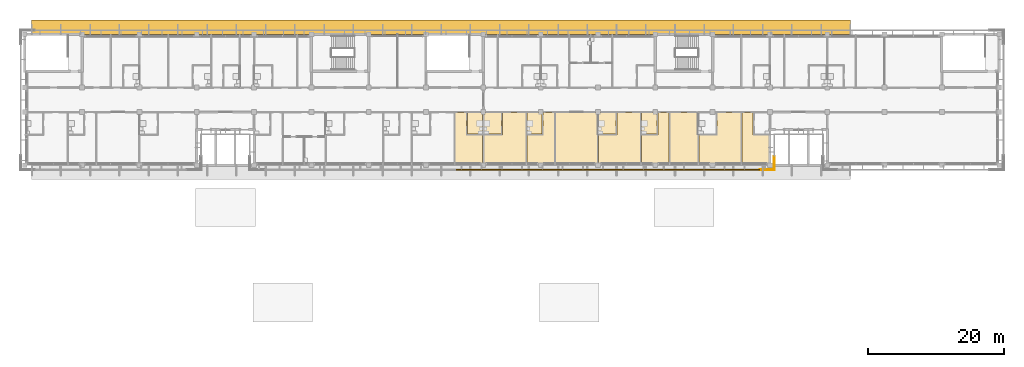
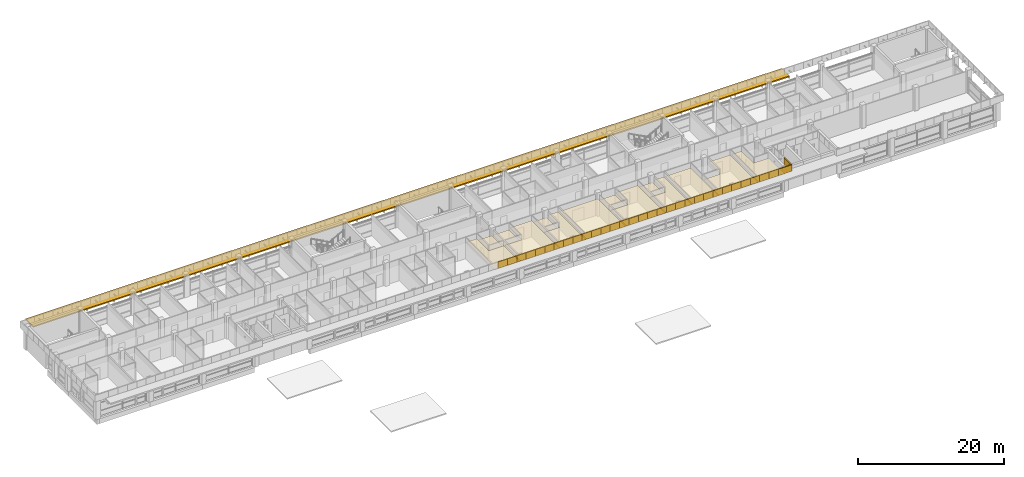
# One storey, part 33 of 36: 46 coverings, 1 shading device.
"""IFC4 building model written with IfcOpenShell, lengths in metres."""

from ifc_helpers import new_model, si_unit, direction, frame, origin, place, context, subcontext, project, spatial, polyline, outline, extrude, material, layer, layer_set, type_object, element, save


model = new_model("IFC4")

# Units and contexts
model_context = context("Model", 3, precision=1e-05, world=origin(), true_north=direction((0.0, 1.0)))
body_context = subcontext(model_context, "Body", "Model", "MODEL_VIEW")
ifc_project = project(units=[si_unit("LENGTHUNIT", "METRE"), si_unit("AREAUNIT", "SQUARE_METRE"), si_unit("VOLUMEUNIT", "CUBIC_METRE"), si_unit("PLANEANGLEUNIT", "RADIAN"), si_unit("MASSUNIT", "GRAM", prefix="KILO")], contexts=[model_context])

# Site, building, storey
site_placement = place(None, origin())
site = spatial("IfcSite", under=ifc_project, at=site_placement, CompositionType="ELEMENT")
building_placement = place(site_placement, origin())
building = spatial("IfcBuilding", under=site, at=building_placement, Name="Bougainvillea Quay General Hospital", CompositionType="ELEMENT")
storey_placement = place(building_placement, frame((0.0, 0.0, 32.699951171875)))
storey = spatial("IfcBuildingStorey", under=building, at=storey_placement, Name="L07", CompositionType="ELEMENT", Elevation=32.699951171875)

# Coverings
ifc_material_1 = material(Name="Powder-coated aluminium fascia, white", Category="aluminium")
ifc_layer_1 = layer(ifc_material_1, 0.14990234375)
ifc_layer_set_1 = layer_set([ifc_layer_1], Name="Powder-coated aluminium fascia, white")
covering_type_1 = type_object("IfcCoveringType", Name="Aluminium fascia band white 150x1100", PredefinedType="CLADDING", material=ifc_layer_set_1)
covering_1_placement = place(storey_placement, frame((105.2470703125, 139.85009765625, 3.35009765625), z_axis=(0.0, 0.0, 1.0), x_axis=(1.0, 0.0, 0.0)))
element("IfcCovering", 1, at=covering_1_placement, inside=storey, type_object=covering_type_1, Name="Fascia band white e0 161", PredefinedType="CLADDING", context=body_context, shape_type="SweptSolid", body=[
    extrude(outline(polyline([(0.0, 0.0), (1.482421875, 0.0), (1.482421875, -0.150146484375), (0.0, -0.150146484375), (0.0, 0.0)])), origin(), (0.0, 0.0, 1.0), 1.10009765625),
])
covering_2_placement = place(storey_placement, frame((106.7294921875, 139.85009765625, 3.35009765625), z_axis=(0.0, 0.0, 1.0), x_axis=(1.0, 0.0, 0.0)))
element("IfcCovering", 2, at=covering_2_placement, inside=storey, type_object=covering_type_1, Name="Fascia band white e0 162", PredefinedType="CLADDING", context=body_context, shape_type="SweptSolid", body=[
    extrude(outline(polyline([(0.0, 0.0), (1.482177734375, 0.0), (1.482177734375, -0.150146484375), (0.0, -0.150146484375), (0.0, 0.0)])), origin(), (0.0, 0.0, 1.0), 1.10009765625),
])
for number, where, z_axis, x_axis, name in (
    (3, (108.211669921875, 139.85009765625, 3.35009765625), (0.0, 0.0, 1.0), (1.0, 0.0, 0.0), "Fascia band white e0 163"),
    (4, (109.694091796875, 139.85009765625, 3.35009765625), (0.0, 0.0, 1.0), (1.0, 0.0, 0.0), "Fascia band white e0 164"),
    (5, (111.176513671875, 139.85009765625, 3.35009765625), (0.0, 0.0, 1.0), (1.0, 0.0, 0.0), "Fascia band white e0 165"),
):
    element("IfcCovering", number, at=place(storey_placement, frame(where, z_axis=z_axis, x_axis=x_axis)), inside=storey, type_object=covering_type_1, Name=name, PredefinedType="CLADDING", context=body_context, shape_type="SweptSolid", body=[
        extrude(outline(polyline([(0.0, 0.0), (1.482421875, 0.0), (1.482421875, -0.150146484375), (0.0, -0.150146484375), (0.0, 0.0)])), origin(), (0.0, 0.0, 1.0), 1.10009765625),
    ])
covering_3_placement = place(storey_placement, frame((112.658935546875, 139.85009765625, 3.35009765625), z_axis=(0.0, 0.0, 1.0), x_axis=(1.0, 0.0, 0.0)))
element("IfcCovering", 6, at=covering_3_placement, inside=storey, type_object=covering_type_1, Name="Fascia band white e0 166", PredefinedType="CLADDING", context=body_context, shape_type="SweptSolid", body=[
    extrude(outline(polyline([(0.0, 0.0), (1.482177734375, 0.0), (1.482177734375, -0.150146484375), (0.0, -0.150146484375), (0.0, 0.0)])), origin(), (0.0, 0.0, 1.0), 1.10009765625),
])
for number, where, z_axis, x_axis, name in (
    (7, (114.14111328125, 139.85009765625, 3.35009765625), (0.0, 0.0, 1.0), (1.0, 0.0, 0.0), "Fascia band white e0 167"),
    (8, (115.62353515625, 139.85009765625, 3.35009765625), (0.0, 0.0, 1.0), (1.0, 0.0, 0.0), "Fascia band white e0 168"),
):
    element("IfcCovering", number, at=place(storey_placement, frame(where, z_axis=z_axis, x_axis=x_axis)), inside=storey, type_object=covering_type_1, Name=name, PredefinedType="CLADDING", context=body_context, shape_type="SweptSolid", body=[
        extrude(outline(polyline([(0.0, 0.0), (1.482421875, 0.0), (1.482421875, -0.150146484375), (0.0, -0.150146484375), (0.0, 0.0)])), origin(), (0.0, 0.0, 1.0), 1.10009765625),
    ])
covering_4_placement = place(storey_placement, frame((117.10595703125, 139.85009765625, 3.35009765625), z_axis=(0.0, 0.0, 1.0), x_axis=(1.0, 0.0, 0.0)))
element("IfcCovering", 9, at=covering_4_placement, inside=storey, type_object=covering_type_1, Name="Fascia band white e0 169", PredefinedType="CLADDING", context=body_context, shape_type="SweptSolid", body=[
    extrude(outline(polyline([(0.0, 0.0), (1.482177734375, 0.0), (1.482177734375, -0.150146484375), (0.0, -0.150146484375), (0.0, 0.0)])), origin(), (0.0, 0.0, 1.0), 1.10009765625),
])
for number, where, z_axis, x_axis, name in (
    (10, (118.588134765625, 139.85009765625, 3.35009765625), (0.0, 0.0, 1.0), (1.0, 0.0, 0.0), "Fascia band white e0 170"),
    (11, (120.070556640625, 139.85009765625, 3.35009765625), (0.0, 0.0, 1.0), (1.0, 0.0, 0.0), "Fascia band white e0 171"),
    (12, (121.552978515625, 139.85009765625, 3.35009765625), (0.0, 0.0, 1.0), (1.0, 0.0, 0.0), "Fascia band white e0 172"),
):
    element("IfcCovering", number, at=place(storey_placement, frame(where, z_axis=z_axis, x_axis=x_axis)), inside=storey, type_object=covering_type_1, Name=name, PredefinedType="CLADDING", context=body_context, shape_type="SweptSolid", body=[
        extrude(outline(polyline([(0.0, 0.0), (1.482421875, 0.0), (1.482421875, -0.150146484375), (0.0, -0.150146484375), (0.0, 0.0)])), origin(), (0.0, 0.0, 1.0), 1.10009765625),
    ])
covering_5_placement = place(storey_placement, frame((123.035400390625, 139.85009765625, 3.35009765625), z_axis=(0.0, 0.0, 1.0), x_axis=(1.0, 0.0, 0.0)))
element("IfcCovering", 13, at=covering_5_placement, inside=storey, type_object=covering_type_1, Name="Fascia band white e0 173", PredefinedType="CLADDING", context=body_context, shape_type="SweptSolid", body=[
    extrude(outline(polyline([(0.0, 0.0), (1.482177734375, 0.0), (1.482177734375, -0.150146484375), (0.0, -0.150146484375), (0.0, 0.0)])), origin(), (0.0, 0.0, 1.0), 1.10009765625),
])
for number, where, z_axis, x_axis, name in (
    (14, (124.517578125, 139.85009765625, 3.35009765625), (0.0, 0.0, 1.0), (1.0, 0.0, 0.0), "Fascia band white e0 174"),
    (15, (126.0, 139.85009765625, 3.35009765625), (0.0, 0.0, 1.0), (1.0, 0.0, 0.0), "Fascia band white e0 175"),
):
    element("IfcCovering", number, at=place(storey_placement, frame(where, z_axis=z_axis, x_axis=x_axis)), inside=storey, type_object=covering_type_1, Name=name, PredefinedType="CLADDING", context=body_context, shape_type="SweptSolid", body=[
        extrude(outline(polyline([(0.0, 0.0), (1.482421875, 0.0), (1.482421875, -0.150146484375), (0.0, -0.150146484375), (0.0, 0.0)])), origin(), (0.0, 0.0, 1.0), 1.10009765625),
    ])
covering_6_placement = place(storey_placement, frame((127.482421875, 139.85009765625, 3.35009765625), z_axis=(0.0, 0.0, 1.0), x_axis=(1.0, 0.0, 0.0)))
element("IfcCovering", 16, at=covering_6_placement, inside=storey, type_object=covering_type_1, Name="Fascia band white e0 176", PredefinedType="CLADDING", context=body_context, shape_type="SweptSolid", body=[
    extrude(outline(polyline([(0.0, 0.0), (1.482177734375, 0.0), (1.482177734375, -0.150146484375), (0.0, -0.150146484375), (0.0, 0.0)])), origin(), (0.0, 0.0, 1.0), 1.10009765625),
])
for number, where, z_axis, x_axis, name in (
    (17, (128.964599609375, 139.85009765625, 3.35009765625), (0.0, 0.0, 1.0), (1.0, 0.0, 0.0), "Fascia band white e0 177"),
    (18, (130.447021484375, 139.85009765625, 3.35009765625), (0.0, 0.0, 1.0), (1.0, 0.0, 0.0), "Fascia band white e0 178"),
    (19, (131.929443359375, 139.85009765625, 3.35009765625), (0.0, 0.0, 1.0), (1.0, 0.0, 0.0), "Fascia band white e0 179"),
):
    element("IfcCovering", number, at=place(storey_placement, frame(where, z_axis=z_axis, x_axis=x_axis)), inside=storey, type_object=covering_type_1, Name=name, PredefinedType="CLADDING", context=body_context, shape_type="SweptSolid", body=[
        extrude(outline(polyline([(0.0, 0.0), (1.482421875, 0.0), (1.482421875, -0.150146484375), (0.0, -0.150146484375), (0.0, 0.0)])), origin(), (0.0, 0.0, 1.0), 1.10009765625),
    ])
covering_7_placement = place(storey_placement, frame((133.411865234375, 139.85009765625, 3.35009765625), z_axis=(0.0, 0.0, 1.0), x_axis=(1.0, 0.0, 0.0)))
element("IfcCovering", 20, at=covering_7_placement, inside=storey, type_object=covering_type_1, Name="Fascia band white e0 180", PredefinedType="CLADDING", context=body_context, shape_type="SweptSolid", body=[
    extrude(outline(polyline([(0.0, 0.0), (1.482177734375, 0.0), (1.482177734375, -0.150146484375), (0.0, -0.150146484375), (0.0, 0.0)])), origin(), (0.0, 0.0, 1.0), 1.10009765625),
])
for number, where, z_axis, x_axis, name in (
    (21, (134.89404296875, 139.85009765625, 3.35009765625), (0.0, 0.0, 1.0), (1.0, 0.0, 0.0), "Fascia band white e0 181"),
    (22, (136.37646484375, 139.85009765625, 3.35009765625), (0.0, 0.0, 1.0), (1.0, 0.0, 0.0), "Fascia band white e0 182"),
):
    element("IfcCovering", number, at=place(storey_placement, frame(where, z_axis=z_axis, x_axis=x_axis)), inside=storey, type_object=covering_type_1, Name=name, PredefinedType="CLADDING", context=body_context, shape_type="SweptSolid", body=[
        extrude(outline(polyline([(0.0, 0.0), (1.482421875, 0.0), (1.482421875, -0.150146484375), (0.0, -0.150146484375), (0.0, 0.0)])), origin(), (0.0, 0.0, 1.0), 1.10009765625),
    ])
covering_8_placement = place(storey_placement, frame((137.85888671875, 139.85009765625, 3.35009765625), z_axis=(0.0, 0.0, 1.0), x_axis=(1.0, 0.0, 0.0)))
element("IfcCovering", 23, at=covering_8_placement, inside=storey, type_object=covering_type_1, Name="Fascia band white e0 183", PredefinedType="CLADDING", context=body_context, shape_type="SweptSolid", body=[
    extrude(outline(polyline([(0.0, 0.0), (1.482177734375, 0.0), (1.482177734375, -0.150146484375), (0.0, -0.150146484375), (0.0, 0.0)])), origin(), (0.0, 0.0, 1.0), 1.10009765625),
])
for number, where, z_axis, x_axis, name in (
    (24, (139.341064453125, 139.85009765625, 3.35009765625), (0.0, 0.0, 1.0), (1.0, 0.0, 0.0), "Fascia band white e0 184"),
    (25, (140.823486328125, 139.85009765625, 3.35009765625), (0.0, 0.0, 1.0), (1.0, 0.0, 0.0), "Fascia band white e0 185"),
    (26, (142.305908203125, 139.85009765625, 3.35009765625), (0.0, 0.0, 1.0), (1.0, 0.0, 0.0), "Fascia band white e0 186"),
):
    element("IfcCovering", number, at=place(storey_placement, frame(where, z_axis=z_axis, x_axis=x_axis)), inside=storey, type_object=covering_type_1, Name=name, PredefinedType="CLADDING", context=body_context, shape_type="SweptSolid", body=[
        extrude(outline(polyline([(0.0, 0.0), (1.482421875, 0.0), (1.482421875, -0.150146484375), (0.0, -0.150146484375), (0.0, 0.0)])), origin(), (0.0, 0.0, 1.0), 1.10009765625),
    ])
covering_9_placement = place(storey_placement, frame((143.788330078125, 139.85009765625, 3.35009765625), z_axis=(0.0, 0.0, 1.0), x_axis=(1.0, 0.0, 0.0)))
element("IfcCovering", 27, at=covering_9_placement, inside=storey, type_object=covering_type_1, Name="Fascia band white e0 187", PredefinedType="CLADDING", context=body_context, shape_type="SweptSolid", body=[
    extrude(outline(polyline([(0.0, 0.0), (1.482177734375, 0.0), (1.482177734375, -0.150146484375), (0.0, -0.150146484375), (0.0, 0.0)])), origin(), (0.0, 0.0, 1.0), 1.10009765625),
])
for number, where, z_axis, x_axis, name in (
    (28, (145.2705078125, 139.85009765625, 3.35009765625), (0.0, 0.0, 1.0), (1.0, 0.0, 0.0), "Fascia band white e0 188"),
    (29, (146.7529296875, 139.85009765625, 3.35009765625), (0.0, 0.0, 1.0), (1.0, 0.0, 0.0), "Fascia band white e0 189"),
):
    element("IfcCovering", number, at=place(storey_placement, frame(where, z_axis=z_axis, x_axis=x_axis)), inside=storey, type_object=covering_type_1, Name=name, PredefinedType="CLADDING", context=body_context, shape_type="SweptSolid", body=[
        extrude(outline(polyline([(0.0, 0.0), (1.482421875, 0.0), (1.482421875, -0.150146484375), (0.0, -0.150146484375), (0.0, 0.0)])), origin(), (0.0, 0.0, 1.0), 1.10009765625),
    ])
covering_10_placement = place(storey_placement, frame((148.2353515625, 139.85009765625, 3.35009765625), z_axis=(0.0, 0.0, 1.0), x_axis=(1.0, 0.0, 0.0)))
element("IfcCovering", 30, at=covering_10_placement, inside=storey, type_object=covering_type_1, Name="Fascia band white e0 190", PredefinedType="CLADDING", context=body_context, shape_type="SweptSolid", body=[
    extrude(outline(polyline([(0.0, 0.0), (1.482177734375, 0.0), (1.482177734375, -0.150146484375), (0.0, -0.150146484375), (0.0, 0.0)])), origin(), (0.0, 0.0, 1.0), 1.10009765625),
])
covering_11_placement = place(storey_placement, frame((149.717529296875, 139.85009765625, 3.35009765625), z_axis=(0.0, 0.0, 1.0), x_axis=(1.0, 0.0, 0.0)))
element("IfcCovering", 31, at=covering_11_placement, inside=storey, type_object=covering_type_1, Name="Fascia band white e0 191", PredefinedType="CLADDING", context=body_context, shape_type="SweptSolid", body=[
    extrude(outline(polyline([(0.0, 0.0), (2.032470703125, 0.0), (2.182373046875, -0.150146484375), (0.0, -0.150146484375), (0.0, 0.0)])), origin(), (0.0, 0.0, 1.0), 1.10009765625),
])
covering_12_placement = place(storey_placement, frame((151.75, 139.85009765625, 3.35009765625), z_axis=(0.0, 0.0, 1.0), x_axis=(0.0, 1.0, 0.0)))
element("IfcCovering", 32, at=covering_12_placement, inside=storey, type_object=covering_type_1, Name="Fascia band white e0 192", PredefinedType="CLADDING", context=body_context, shape_type="SweptSolid", body=[
    extrude(outline(polyline([(0.0, 0.0), (1.849853515625, 0.0), (1.849853515625, -0.14990234375), (-0.150146484375, -0.14990234375), (0.0, 0.0)])), origin(), (0.0, 0.0, 1.0), 1.10009765625),
])

# Shading device
ifc_material_2 = material(Name="Powder-coated aluminium canopy soffit and fascia, white", Category="aluminium")
ifc_layer_2 = layer(ifc_material_2, 0.199951171875)
ifc_layer_set_2 = layer_set([ifc_layer_2], Name="Powder-coated aluminium canopy soffit and fascia, white")
shading_device_type = type_object("IfcShadingDeviceType", Name="Deep eave canopy 200", PredefinedType="AWNING", material=ifc_layer_set_2)
shading_device_placement = place(storey_placement, frame((0.0, 0.0, 3.199951171875)))
element("IfcShadingDevice", 33, at=shading_device_placement, inside=storey, type_object=shading_device_type, Name="Deep eave canopy N", PredefinedType="AWNING", context=body_context, shape_type="SweptSolid", body=[
    extrude(outline(polyline([(43.0, 159.60009765625), (163.0, 159.60009765625), (163.0, 161.699951171875), (43.0, 161.699951171875), (43.0, 159.60009765625)])), origin(), (0.0, 0.0, 1.0), 0.2001953125),
])

# Coverings
ifc_material_3 = material(Name="Mineral fibre ceiling tile")
ifc_layer_3 = layer(ifc_material_3, 0.030029296875)
ifc_layer_set_3 = layer_set([ifc_layer_3], Name="Mineral fibre ceiling tile")
covering_type_2 = type_object("IfcCoveringType", Name="Suspended ceiling mineral fibre tile", PredefinedType="CEILING", material=ifc_layer_set_3)
covering_13_placement = place(storey_placement, frame((0.0, 0.0, 2.699951171875)))
element("IfcCovering", 34, at=covering_13_placement, inside=storey, type_object=covering_type_2, Name="Ceiling High Dependency Room 07A17", PredefinedType="CEILING", context=body_context, shape_type="SweptSolid", body=[
    extrude(outline(polyline([(109.10009765625, 140.39990234375), (109.10009765625, 144.824951171875), (106.72509765625, 144.824951171875), (106.72509765625, 148.125), (105.074951171875, 148.125), (105.074951171875, 140.39990234375), (109.10009765625, 140.39990234375)])), origin(), (0.0, 0.0, 1.0), 0.030029296875),
])
covering_14_placement = place(storey_placement, frame((0.0, 0.0, 2.400146484375)))
element("IfcCovering", 35, at=covering_14_placement, inside=storey, type_object=covering_type_2, Name="Ceiling En-suite 07A17", PredefinedType="CEILING", context=body_context, shape_type="SweptSolid", body=[
    extrude(outline(polyline([(106.875, 148.125), (106.875, 144.97509765625), (109.10009765625, 144.97509765625), (109.10009765625, 148.125), (106.875, 148.125)])), origin(), (0.0, 0.0, 1.0), 0.02978515625),
])
covering_15_placement = place(storey_placement, frame((0.0, 0.0, 2.699951171875)))
element("IfcCovering", 36, at=covering_15_placement, inside=storey, type_object=covering_type_2, Name="Ceiling Private Patient Suite 07A20", PredefinedType="CEILING", context=body_context, shape_type="SweptSolid", body=[
    extrude(outline(polyline([(115.425048828125, 140.39990234375), (115.425048828125, 148.125), (111.97509765625, 148.125), (111.97509765625, 144.824951171875), (109.300048828125, 144.824951171875), (109.300048828125, 140.39990234375), (115.425048828125, 140.39990234375)])), origin(), (0.0, 0.0, 1.0), 0.030029296875),
])
covering_16_placement = place(storey_placement, frame((0.0, 0.0, 2.400146484375)))
element("IfcCovering", 37, at=covering_16_placement, inside=storey, type_object=covering_type_2, Name="Ceiling En-suite 07A20", PredefinedType="CEILING", context=body_context, shape_type="SweptSolid", body=[
    extrude(outline(polyline([(109.300048828125, 148.125), (109.300048828125, 144.97509765625), (111.824951171875, 144.97509765625), (111.824951171875, 148.125), (109.300048828125, 148.125)])), origin(), (0.0, 0.0, 1.0), 0.02978515625),
])
covering_17_placement = place(storey_placement, frame((0.0, 0.0, 2.699951171875)))
element("IfcCovering", 38, at=covering_17_placement, inside=storey, type_object=covering_type_2, Name="Ceiling Private Patient Room 07A21", PredefinedType="CEILING", context=body_context, shape_type="SweptSolid", body=[
    extrude(outline(polyline([(119.625, 140.39990234375), (119.625, 148.125), (117.97509765625, 148.125), (117.97509765625, 144.824951171875), (115.574951171875, 144.824951171875), (115.574951171875, 140.39990234375), (119.625, 140.39990234375)])), origin(), (0.0, 0.0, 1.0), 0.030029296875),
])
covering_18_placement = place(storey_placement, frame((0.0, 0.0, 2.400146484375)))
element("IfcCovering", 39, at=covering_18_placement, inside=storey, type_object=covering_type_2, Name="Ceiling En-suite 07A21", PredefinedType="CEILING", context=body_context, shape_type="SweptSolid", body=[
    extrude(outline(polyline([(115.574951171875, 148.125), (115.574951171875, 144.97509765625), (117.824951171875, 144.97509765625), (117.824951171875, 148.125), (115.574951171875, 148.125)])), origin(), (0.0, 0.0, 1.0), 0.02978515625),
])
covering_19_placement = place(storey_placement, frame((0.0, 0.0, 2.699951171875)))
element("IfcCovering", 40, at=covering_19_placement, inside=storey, type_object=covering_type_2, Name="Ceiling Nurses' Station 07A22", PredefinedType="CEILING", context=body_context, shape_type="SweptSolid", body=[
    extrude(outline(polyline([(125.925048828125, 140.39990234375), (125.925048828125, 144.97509765625), (125.949951171875, 144.97509765625), (125.949951171875, 148.125), (119.77490234375, 148.125), (119.77490234375, 140.39990234375), (125.925048828125, 140.39990234375)])), origin(), (0.0, 0.0, 1.0), 0.030029296875),
])
covering_20_placement = place(storey_placement, frame((0.0, 0.0, 2.699951171875)))
element("IfcCovering", 41, at=covering_20_placement, inside=storey, type_object=covering_type_2, Name="Ceiling Private Patient Suite 07A23", PredefinedType="CEILING", context=body_context, shape_type="SweptSolid", body=[
    extrude(outline(polyline([(132.22509765625, 140.39990234375), (132.22509765625, 148.125), (128.77490234375, 148.125), (128.77490234375, 144.824951171875), (126.074951171875, 144.824951171875), (126.074951171875, 140.39990234375), (132.22509765625, 140.39990234375)])), origin(), (0.0, 0.0, 1.0), 0.030029296875),
])
covering_21_placement = place(storey_placement, frame((0.0, 0.0, 2.400146484375)))
element("IfcCovering", 42, at=covering_21_placement, inside=storey, type_object=covering_type_2, Name="Ceiling En-suite 07A23", PredefinedType="CEILING", context=body_context, shape_type="SweptSolid", body=[
    extrude(outline(polyline([(126.050048828125, 148.125), (126.050048828125, 144.97509765625), (128.625, 144.97509765625), (128.625, 148.125), (126.050048828125, 148.125)])), origin(), (0.0, 0.0, 1.0), 0.02978515625),
])
covering_22_placement = place(storey_placement, frame((0.0, 0.0, 2.699951171875)))
element("IfcCovering", 43, at=covering_22_placement, inside=storey, type_object=covering_type_2, Name="Ceiling Private Patient Room 07A24", PredefinedType="CEILING", context=body_context, shape_type="SweptSolid", body=[
    extrude(outline(polyline([(136.425048828125, 140.39990234375), (136.425048828125, 148.125), (134.77490234375, 148.125), (134.77490234375, 144.824951171875), (132.375, 144.824951171875), (132.375, 140.39990234375), (136.425048828125, 140.39990234375)])), origin(), (0.0, 0.0, 1.0), 0.030029296875),
])
covering_23_placement = place(storey_placement, frame((0.0, 0.0, 2.400146484375)))
element("IfcCovering", 44, at=covering_23_placement, inside=storey, type_object=covering_type_2, Name="Ceiling En-suite 07A24", PredefinedType="CEILING", context=body_context, shape_type="SweptSolid", body=[
    extrude(outline(polyline([(132.375, 148.125), (132.375, 144.97509765625), (134.625, 144.97509765625), (134.625, 148.125), (132.375, 148.125)])), origin(), (0.0, 0.0, 1.0), 0.02978515625),
])
covering_24_placement = place(storey_placement, frame((0.0, 0.0, 2.699951171875)))
element("IfcCovering", 45, at=covering_24_placement, inside=storey, type_object=covering_type_2, Name="Ceiling Treatment and Clean Utility Room 07A25", PredefinedType="CEILING", context=body_context, shape_type="SweptSolid", body=[
    extrude(outline(polyline([(140.625, 140.39990234375), (140.625, 144.97509765625), (140.64990234375, 144.97509765625), (140.64990234375, 148.125), (136.574951171875, 148.125), (136.574951171875, 140.39990234375), (140.625, 140.39990234375)])), origin(), (0.0, 0.0, 1.0), 0.030029296875),
])
covering_25_placement = place(storey_placement, frame((0.0, 0.0, 2.699951171875)))
element("IfcCovering", 46, at=covering_25_placement, inside=storey, type_object=covering_type_2, Name="Ceiling Private Patient Suite 07A26", PredefinedType="CEILING", context=body_context, shape_type="SweptSolid", body=[
    extrude(outline(polyline([(146.925048828125, 140.39990234375), (146.925048828125, 148.125), (143.47509765625, 148.125), (143.47509765625, 144.824951171875), (140.77490234375, 144.824951171875), (140.77490234375, 140.39990234375), (146.925048828125, 140.39990234375)])), origin(), (0.0, 0.0, 1.0), 0.030029296875),
])
covering_26_placement = place(storey_placement, frame((0.0, 0.0, 2.699951171875)))
element("IfcCovering", 47, at=covering_26_placement, inside=storey, type_object=covering_type_2, Name="Ceiling Private Patient Room 07A27", PredefinedType="CEILING", context=body_context, shape_type="SweptSolid", body=[
    extrude(outline(polyline([(151.199951171875, 140.39990234375), (151.199951171875, 144.824951171875), (148.72509765625, 144.824951171875), (148.72509765625, 148.125), (147.074951171875, 148.125), (147.074951171875, 140.39990234375), (151.199951171875, 140.39990234375)])), origin(), (0.0, 0.0, 1.0), 0.030029296875),
])

save(model, "model.ifc")
